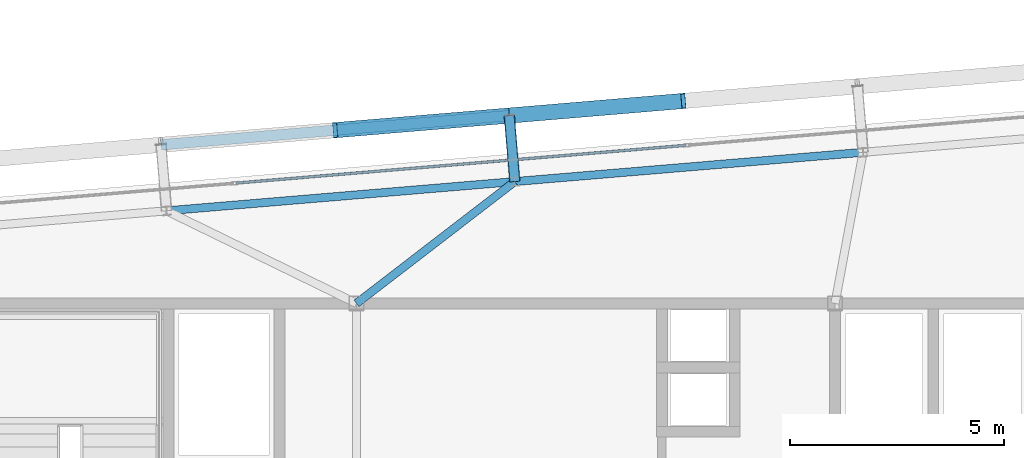
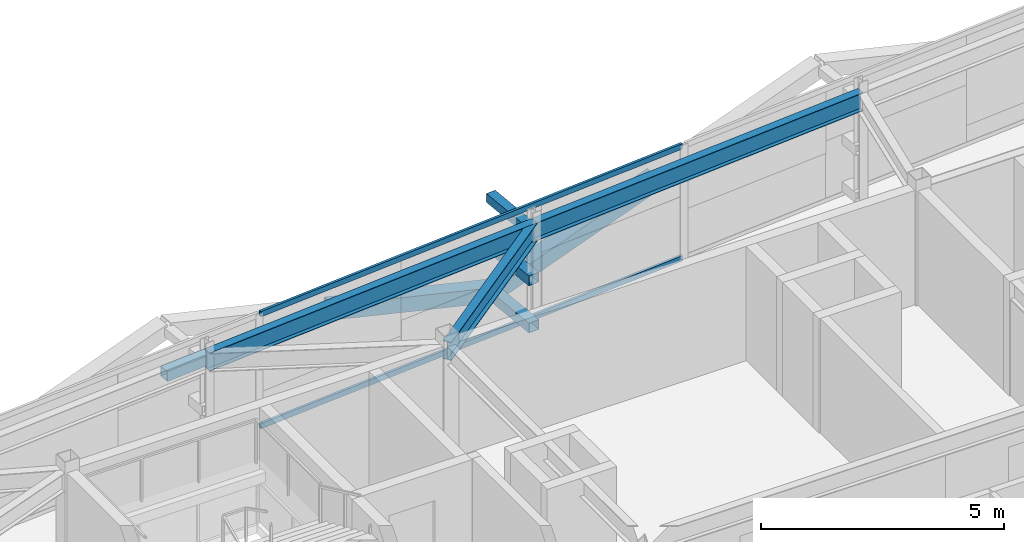
# One storey, part 22 of 39: 8 members, 3 beams, 1 element without a shape of its own.
"""IFC4 building model written with IfcOpenShell, lengths in metres."""

from ifc_helpers import new_model, si_unit, direction, frame, origin, origin_2d, place, context, subcontext, project, spatial, hollow_rectangle, i_section, extrude, source, transform, mapped, material, layer, layer_set, material_profile, profile_set, type_object, element, aggregate, save


model = new_model("IFC4")

# Units and contexts
model_context = context("Model", 3, precision=1e-05, world=origin(), true_north=direction((0.0, 1.0)))
body_context = subcontext(model_context, "Body", "Model", "MODEL_VIEW")
ifc_project = project(units=[si_unit("LENGTHUNIT", "METRE"), si_unit("AREAUNIT", "SQUARE_METRE"), si_unit("VOLUMEUNIT", "CUBIC_METRE"), si_unit("PLANEANGLEUNIT", "RADIAN"), si_unit("MASSUNIT", "GRAM", prefix="KILO")], contexts=[model_context])

# Site, building, storey
site_placement = place(None, origin())
site = spatial("IfcSite", under=ifc_project, at=site_placement, CompositionType="ELEMENT")
building_placement = place(site_placement, origin())
building = spatial("IfcBuilding", under=site, at=building_placement, Name="Taldren Reach Tower", CompositionType="ELEMENT")
storey_placement = place(building_placement, frame((0.0, 0.0, 204.050048828125)))
storey = spatial("IfcBuildingStorey", under=building, at=storey_placement, Name="L62", CompositionType="ELEMENT", Elevation=204.050048828125)

# Members
ifc_material_1 = material(Name="Steel Gr 350 (C350L0)", Category="steel")
ifc_material_profile_1 = material_profile(ifc_material_1, hollow_rectangle(XDim=0.25, YDim=0.25, WallThickness=0.010009765625, at=origin_2d()), Name="250x250x10.0SHS")
ifc_profile_set_1 = profile_set([ifc_material_profile_1], Name="Steel Gr 350 (C350L0)")
member_type_1 = type_object("IfcMemberType", Name="MB-POST250", PredefinedType="POST", material=ifc_profile_set_1)
shared_shape_1 = source(origin(), body_context, "Body", "SweptSolid", [
    extrude(hollow_rectangle(XDim=0.25, YDim=0.25, WallThickness=0.010009765625, at=origin_2d()), origin(), (0.0, 0.0, 1.0), 1.5498046875),
])
for number, where, z_axis, x_axis, name in (
    (1, (31.706298828125, 34.8525390625, 0.219970703125), (-0.083645141657, 0.996495604746, 0.0), (-0.996495604746, -0.083645141657, 0.0), "Exoskeleton base diaphragm tie strut B4-N3 L62"),
    (2, (31.706298828125, 34.8525390625, 1.405029296875), (-0.083645141657, 0.996495604746, 0.0), (-0.996495604746, -0.083645141657, 0.0), "Exoskeleton mid-tier diaphragm tie B4-N3 L62"),
):
    element("IfcMember", number, at=place(storey_placement, frame(where, z_axis=z_axis, x_axis=x_axis)), inside=storey, type_object=member_type_1, Name=name, PredefinedType="POST", context=body_context, shape_type="MappedRepresentation", body=[
        mapped(shared_shape_1, transform((0.0, 0.0, 0.0), scale=1.0)),
    ])

# Beams
ifc_material_2 = material(Name="Steel Gr 350 (350PLUS)", Category="steel")
ifc_material_profile_2 = material_profile(ifc_material_2, i_section(OverallWidth=0.18994140625, OverallDepth=0.4541015625, WebThickness=0.008544921875, FlangeThickness=0.0126953125, at=origin_2d()), Name="460UB67.1")
ifc_profile_set_2 = profile_set([ifc_material_profile_2], Name="Steel Gr 350 (350PLUS)")
beam_type_1 = type_object("IfcBeamType", Name="SP-UB460B", PredefinedType="SPANDREL", material=ifc_profile_set_2)
shared_shape_2 = source(origin(), body_context, "Body", "SweptSolid", [
    extrude(i_section(OverallWidth=0.18994140625, OverallDepth=0.4541015625, WebThickness=0.008544921875, FlangeThickness=0.0126953125, at=origin_2d()), origin(), (0.0, 0.0, 1.0), 8.18017578125),
])
beam_1_placement = place(storey_placement, frame((39.857666015625, 35.537109375, 2.64306640625), z_axis=(-0.996492034688, -0.083687662192, 0.0), x_axis=(0.083687662192, -0.996492034688, 0.0)))
element("IfcBeam", 3, at=beam_1_placement, inside=storey, type_object=beam_type_1, Name="Perimeter spandrel B4 N4-N3 L62", PredefinedType="SPANDREL", context=body_context, shape_type="MappedRepresentation", body=[
    mapped(shared_shape_2, transform((0.0, 0.0, 0.0), scale=1.0)),
])
shared_shape_3 = source(origin(), body_context, "Body", "SweptSolid", [
    extrude(i_section(OverallWidth=0.18994140625, OverallDepth=0.4541015625, WebThickness=0.008544921875, FlangeThickness=0.0126953125, at=origin_2d()), origin(), (0.0, 0.0, 1.0), 8.179931640625),
])
beam_2_placement = place(storey_placement, frame((31.706298828125, 34.8525390625, 2.64306640625), z_axis=(-0.99649182565, -0.08369015123, 0.0), x_axis=(0.08369015123, -0.99649182565, 0.0)))
element("IfcBeam", 4, at=beam_2_placement, inside=storey, type_object=beam_type_1, Name="Perimeter spandrel B4 N3-N2 L62", PredefinedType="SPANDREL", context=body_context, shape_type="MappedRepresentation", body=[
    mapped(shared_shape_3, transform((0.0, 0.0, 0.0), scale=1.0)),
])
ifc_material_profile_3 = material_profile(ifc_material_2, i_section(OverallWidth=0.19091796875, OverallDepth=0.4599609375, WebThickness=0.010009765625, FlangeThickness=0.01611328125, at=origin_2d()), Name="460UB82.1")
ifc_profile_set_3 = profile_set([ifc_material_profile_3], Name="Steel Gr 350 (350PLUS)")
beam_type_2 = type_object("IfcBeamType", Name="BM-UB460A", PredefinedType="BEAM", material=ifc_profile_set_3)
shared_shape_4 = source(origin(), body_context, "Body", "SweptSolid", [
    extrude(i_section(OverallWidth=0.19091796875, OverallDepth=0.4599609375, WebThickness=0.010009765625, FlangeThickness=0.01611328125, at=origin_2d()), origin(), (0.0, 0.0, 1.0), 4.677001953125),
])
beam_3_placement = place(storey_placement, frame((28.0, 32.0, 2.639892578125), z_axis=(0.792464836093, 0.609917603907, 0.0), x_axis=(-0.609917603907, 0.792464836093, 0.0)))
element("IfcBeam", 5, at=beam_3_placement, inside=storey, type_object=beam_type_2, Name="Primary floor girder B4-N3 L62", PredefinedType="BEAM", context=body_context, shape_type="MappedRepresentation", body=[
    mapped(shared_shape_4, transform((0.0, 0.0, 0.0), scale=1.0)),
])

# Members
ifc_material_3 = material(Name="Steel Gr 450 (C450L0)", Category="steel")
ifc_material_profile_4 = material_profile(ifc_material_3, hollow_rectangle(XDim=0.219970703125, YDim=0.219970703125, WallThickness=0.00830078125, at=origin_2d()), Name="220x220x8.2SHS")
ifc_profile_set_4 = profile_set([ifc_material_profile_4], Name="Steel Gr 450 (C450L0)")
member_type_2 = type_object("IfcMemberType", Name="MB-TIE219", PredefinedType="STRUT", material=ifc_profile_set_4)
shared_shape_5 = source(origin(), body_context, "Body", "SweptSolid", [
    extrude(hollow_rectangle(XDim=0.219970703125, YDim=0.219970703125, WallThickness=0.00830078125, at=origin_2d()), origin(), (0.0, 0.0, 1.0), 1.5498046875),
])
member_1_placement = place(storey_placement, frame((31.706298828125, 34.8525390625, 2.58984375), z_axis=(-0.083645141657, 0.996495604746, 0.0), x_axis=(-0.996495604746, -0.083645141657, 0.0)))
element("IfcMember", 6, at=member_1_placement, inside=storey, type_object=member_type_2, Name="Exoskeleton diaphragm tie strut B4-N3 L62", PredefinedType="STRUT", context=body_context, shape_type="MappedRepresentation", body=[
    mapped(shared_shape_5, transform((0.0, 0.0, 0.0), scale=1.0)),
])
shared_shape_6 = source(origin(), body_context, "Body", "SweptSolid", [
    extrude(hollow_rectangle(XDim=0.25, YDim=0.25, WallThickness=0.010009765625, at=origin_2d()), origin(), (0.0, 0.0, 1.0), 8.179931640625),
])
member_2_placement = place(storey_placement, frame((23.42529296875, 35.712646484375, 1.405029296875), z_axis=(0.996494523218, 0.083658025296, 0.0), x_axis=(-0.083658025296, 0.996494523218, 0.0)))
element("IfcMember", 7, at=member_2_placement, inside=storey, type_object=member_type_1, Name="Exoskeleton mid-height ring chord B4-N2 L62", PredefinedType="POST", context=body_context, shape_type="MappedRepresentation", body=[
    mapped(shared_shape_6, transform((0.0, 0.0, 0.0), scale=1.0)),
])
ifc_material_profile_5 = material_profile(ifc_material_3, hollow_rectangle(XDim=0.360107421875, YDim=0.360107421875, WallThickness=0.0126953125, at=origin_2d()), Name="360x360x12.7SHS")
ifc_profile_set_5 = profile_set([ifc_material_profile_5], Name="Steel Gr 450 (C450L0)")
member_type_3 = type_object("IfcMemberType", Name="MB-EXO356", PredefinedType="BRACE", material=ifc_profile_set_5)
shared_shape_7 = source(origin(), body_context, "Body", "SweptSolid", [
    extrude(hollow_rectangle(XDim=0.360107421875, YDim=0.360107421875, WallThickness=0.0126953125, at=origin_2d()), origin(), (0.0, 0.0, 1.0), 4.25830078125),
])
for number, where, z_axis, x_axis, name in (
    (8, (31.57666015625, 36.39697265625, 0.219970703125), (-0.957130128655, -0.080324626228, 0.278298169671), (0.083628388178, -0.996497010879, 0.0), "Exoskeleton Diagrid Brace B4-N2 L62"),
    (9, (31.57666015625, 36.39697265625, 0.219970703125), (0.957125719227, 0.080381589694, 0.278296887572), (-0.083687662192, 0.996492034688, 0.0), "Exoskeleton Diagrid Brace B4-N3 L62"),
):
    element("IfcMember", number, at=place(storey_placement, frame(where, z_axis=z_axis, x_axis=x_axis)), inside=storey, type_object=member_type_3, Name=name, PredefinedType="BRACE", context=body_context, shape_type="MappedRepresentation", body=[
        mapped(shared_shape_7, transform((0.0, 0.0, 0.0), scale=1.0)),
    ])

# Curtain wall, members
ifc_material_4 = material(Name="Aluminium and Low-E Glass Unitised System", Category="aluminium")
ifc_layer = layer(ifc_material_4, 0.159912109375)
ifc_layer_set = layer_set([ifc_layer], Name="Aluminium and Low-E Glass Unitised System")
curtain_wall_type = type_object("IfcCurtainWallType", Name="CW-SYS-5", PredefinedType="NOTDEFINED", material=ifc_layer_set)
curtain_wall_placement = place(storey_placement, origin())
curtain_wall = element("IfcCurtainWall", 10, at=curtain_wall_placement, inside=storey, type_object=curtain_wall_type, Name="Unitised curtain wall CW-L62-N", PredefinedType="NOTDEFINED")
ifc_material_5 = material(Name="Anodised Aluminium 6063-T6", Category="aluminium")
ifc_material_profile_6 = material_profile(ifc_material_5, hollow_rectangle(XDim=0.06005859375, YDim=0.135009765625, WallThickness=0.00341796875, at=origin_2d()), Name="ALU-135x60x3.5RHS")
ifc_profile_set_6 = profile_set([ifc_material_profile_6], Name="Anodised Aluminium 6063-T6")
member_type_4 = type_object("IfcMemberType", Name="CW-TRN-150", PredefinedType="USERDEFINED", material=ifc_profile_set_6)
shared_shape_8 = source(origin(), body_context, "Body", "SweptSolid", [
    extrude(hollow_rectangle(XDim=0.06005859375, YDim=0.135009765625, WallThickness=0.00341796875, at=origin_2d()), origin(), (0.0, 0.0, 1.0), 10.55517578125),
])
member_3_placement = place(storey_placement, frame((35.70458984375, 35.699951171875, 0.030029296875), z_axis=(-0.996494202684, -0.083661843255, 0.0), x_axis=(0.083661843255, -0.996494202684, 0.0)))
member_3 = element("IfcMember", 11, at=member_3_placement, type_object=member_type_4, Name="CW-5 transom 3.1", ObjectType="TRANSOM", PredefinedType="USERDEFINED", context=body_context, shape_type="MappedRepresentation", body=[
    mapped(shared_shape_8, transform((0.0, 0.0, 0.0), scale=1.0)),
])
member_4_placement = place(storey_placement, frame((35.70458984375, 35.699951171875, 2.83984375), z_axis=(-0.996494202684, -0.083661843255, 0.0), x_axis=(0.083661843255, -0.996494202684, 0.0)))
member_4 = element("IfcMember", 12, at=member_4_placement, type_object=member_type_4, Name="CW-5 transom 3.2", ObjectType="TRANSOM", PredefinedType="USERDEFINED", context=body_context, shape_type="MappedRepresentation", body=[
    mapped(shared_shape_8, transform((0.0, 0.0, 0.0), scale=1.0)),
])
aggregate(curtain_wall, [member_3, member_4])

save(model, "model.ifc")
